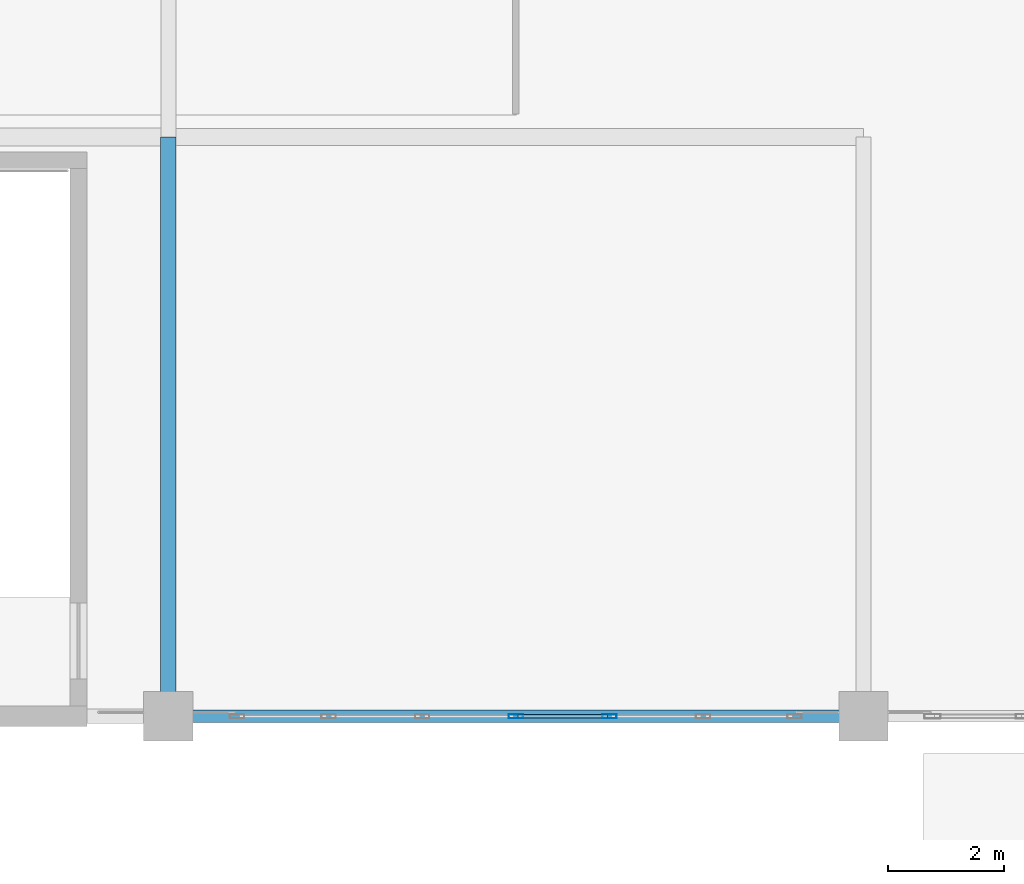
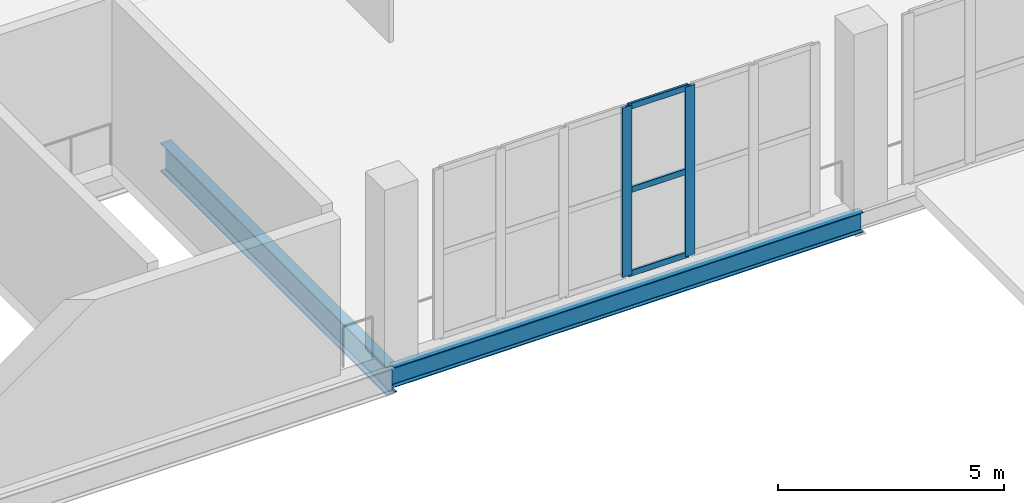
# One storey, part 9 of 49: 5 members, 2 beams, 1 element without a shape of its own.
"""IFC4 building model written with IfcOpenShell, lengths in metres."""

from ifc_helpers import new_model, si_unit, direction, frame, origin, origin_2d, place, context, subcontext, project, spatial, hollow_rectangle, i_section, extrude, material, layer, layer_set, material_profile, profile_set, type_object, element, aggregate, save


model = new_model("IFC4")

# Units and contexts
model_context = context("Model", 3, precision=1e-05, world=origin(), true_north=direction((0.0, 1.0)))
body_context = subcontext(model_context, "Body", "Model", "MODEL_VIEW")
ifc_project = project(units=[si_unit("LENGTHUNIT", "METRE"), si_unit("AREAUNIT", "SQUARE_METRE"), si_unit("VOLUMEUNIT", "CUBIC_METRE"), si_unit("PLANEANGLEUNIT", "RADIAN"), si_unit("MASSUNIT", "GRAM", prefix="KILO")], contexts=[model_context])

# Site, building, storey
site_placement = place(None, origin())
site = spatial("IfcSite", under=ifc_project, at=site_placement, CompositionType="ELEMENT")
building_placement = place(site_placement, origin())
building = spatial("IfcBuilding", under=site, at=building_placement, Name="Brinegate Civic Arena", CompositionType="ELEMENT")
storey_placement = place(building_placement, frame((0.0, 0.0, 24.60009765625)))
storey = spatial("IfcBuildingStorey", under=building, at=storey_placement, Name="L05", CompositionType="ELEMENT", Elevation=24.60009765625)

# Curtain wall, members
ifc_material_1 = material(Name="Marine grade aluminium", Category="aluminium")
ifc_layer = layer(ifc_material_1, 0.199951171875, Name="Marine grade aluminium")
ifc_layer_set = layer_set([ifc_layer], Name="Marine grade aluminium")
curtain_wall_type = type_object("IfcCurtainWallType", Name="CW-BOWL-GLAZED-01", PredefinedType="USERDEFINED", material=ifc_layer_set)
curtain_wall_placement = place(storey_placement, origin())
curtain_wall = element("IfcCurtainWall", 1, at=curtain_wall_placement, inside=storey, type_object=curtain_wall_type, Name="Curtain Wall CWA-165", ObjectType="GLAZED CURTAIN WALL", PredefinedType="USERDEFINED")
ifc_material_profile_1 = material_profile(ifc_material_1, hollow_rectangle(XDim=0.074951171875, YDim=0.25, WallThickness=0.006103515625, InnerFilletRadius=0.00390625, OuterFilletRadius=0.008056640625, at=origin_2d()), Name="MUL75X250")
ifc_profile_set_1 = profile_set([ifc_material_profile_1], Name="Marine grade aluminium")
member_type_1 = type_object("IfcMemberType", Name="CW-MULLION-75X250", PredefinedType="MULLION", material=ifc_profile_set_1)
member_1_placement = place(storey_placement, frame((78.0, 10.0, 0.0), z_axis=(0.0, 0.0, 1.0), x_axis=(0.0, 1.0, 0.0)))
member_1 = element("IfcMember", 2, at=member_1_placement, type_object=member_type_1, Name="CWA-165 mullion 4", PredefinedType="MULLION", context=body_context, shape_type="SweptSolid", body=[
    extrude(hollow_rectangle(XDim=0.074951171875, YDim=0.25, WallThickness=0.006103515625, InnerFilletRadius=0.00390625, OuterFilletRadius=0.008056640625, at=origin_2d()), origin(), (0.0, 0.0, 1.0), 4.579833984375),
])
member_2_placement = place(storey_placement, frame((79.616455078125, 10.0, 0.0), z_axis=(0.0, 0.0, 1.0), x_axis=(0.0, 1.0, 0.0)))
member_2 = element("IfcMember", 3, at=member_2_placement, type_object=member_type_1, Name="CWA-165 mullion 5", PredefinedType="MULLION", context=body_context, shape_type="SweptSolid", body=[
    extrude(hollow_rectangle(XDim=0.074951171875, YDim=0.25, WallThickness=0.006103515625, InnerFilletRadius=0.00390625, OuterFilletRadius=0.008056640625, at=origin_2d()), origin(), (0.0, 0.0, 1.0), 4.579833984375),
])
ifc_material_profile_2 = material_profile(ifc_material_1, hollow_rectangle(XDim=0.06494140625, YDim=0.1650390625, WallThickness=0.0048828125, InnerFilletRadius=0.00390625, OuterFilletRadius=0.008056640625, at=origin_2d()), Name="TRN65X165")
ifc_profile_set_2 = profile_set([ifc_material_profile_2], Name="Marine grade aluminium")
member_type_2 = type_object("IfcMemberType", Name="CW-TRANSOM-65X165", PredefinedType="USERDEFINED", material=ifc_profile_set_2)
member_3_placement = place(storey_placement, frame((78.03759765625, 10.0, 0.032470703125), z_axis=(1.0, 0.0, 0.0), x_axis=(0.0, 1.0, 0.0)))
member_3 = element("IfcMember", 4, at=member_3_placement, type_object=member_type_2, Name="CWA-165 transom 4.1", ObjectType="TRANSOM", PredefinedType="USERDEFINED", context=body_context, shape_type="SweptSolid", body=[
    extrude(hollow_rectangle(XDim=0.06494140625, YDim=0.1650390625, WallThickness=0.0048828125, InnerFilletRadius=0.00390625, OuterFilletRadius=0.008056640625, at=origin_2d()), origin(), (0.0, 0.0, 1.0), 1.541259765625),
])
member_4_placement = place(storey_placement, frame((78.03759765625, 10.0, 2.289794921875), z_axis=(1.0, 0.0, 0.0), x_axis=(0.0, 1.0, 0.0)))
member_4 = element("IfcMember", 5, at=member_4_placement, type_object=member_type_2, Name="CWA-165 transom 4.2", ObjectType="TRANSOM", PredefinedType="USERDEFINED", context=body_context, shape_type="SweptSolid", body=[
    extrude(hollow_rectangle(XDim=0.06494140625, YDim=0.1650390625, WallThickness=0.0048828125, InnerFilletRadius=0.00390625, OuterFilletRadius=0.008056640625, at=origin_2d()), origin(), (0.0, 0.0, 1.0), 1.541259765625),
])
member_5_placement = place(storey_placement, frame((78.03759765625, 10.0, 4.54736328125), z_axis=(1.0, 0.0, 0.0), x_axis=(0.0, 1.0, 0.0)))
member_5 = element("IfcMember", 6, at=member_5_placement, type_object=member_type_2, Name="CWA-165 transom 4.3", ObjectType="TRANSOM", PredefinedType="USERDEFINED", context=body_context, shape_type="SweptSolid", body=[
    extrude(hollow_rectangle(XDim=0.06494140625, YDim=0.1650390625, WallThickness=0.0048828125, InnerFilletRadius=0.00390625, OuterFilletRadius=0.008056640625, at=origin_2d()), origin(), (0.0, 0.0, 1.0), 1.541259765625),
])
aggregate(curtain_wall, [member_1, member_2, member_3, member_4, member_5])

# Beams
ifc_material_2 = material(Name="Steel S355", Category="steel")
ifc_material_profile_3 = material_profile(ifc_material_2, i_section(OverallWidth=0.26806640625, OverallDepth=0.77001953125, WebThickness=0.01611328125, FlangeThickness=0.02490234375, FilletRadius=0.02001953125, at=origin_2d()), Name="W760X196")
ifc_profile_set_3 = profile_set([ifc_material_profile_3], Name="Steel S355")
beam_type_1 = type_object("IfcBeamType", Name="GIRDER-W760X196", PredefinedType="BEAM", material=ifc_profile_set_3)
beam_1_placement = place(storey_placement, frame((72.0, 10.0, -0.715087890625), z_axis=(0.0, 1.0, 0.0), x_axis=(-1.0, 0.0, 0.0)))
element("IfcBeam", 7, at=beam_1_placement, inside=storey, type_object=beam_type_1, Name="Floor Girder BM-L05-GY-06-01", PredefinedType="BEAM", context=body_context, shape_type="SweptSolid", body=[
    extrude(i_section(OverallWidth=0.26806640625, OverallDepth=0.77001953125, WebThickness=0.01611328125, FlangeThickness=0.02490234375, FilletRadius=0.02001953125, at=origin_2d()), origin(), (0.0, 0.0, 1.0), 10.0),
])
ifc_material_profile_4 = material_profile(ifc_material_2, i_section(OverallWidth=0.2119140625, OverallDepth=0.5439453125, WebThickness=0.012939453125, FlangeThickness=0.02099609375, FilletRadius=0.01611328125, at=origin_2d()), Name="W530X123")
ifc_profile_set_4 = profile_set([ifc_material_profile_4], Name="Steel S355")
beam_type_2 = type_object("IfcBeamType", Name="SPANDREL-W530X123", PredefinedType="SPANDREL", material=ifc_profile_set_4)
beam_2_placement = place(storey_placement, frame((72.0, 10.0, -0.60205078125), z_axis=(1.0, 0.0, 0.0), x_axis=(0.0, 1.0, 0.0)))
element("IfcBeam", 8, at=beam_2_placement, inside=storey, type_object=beam_type_2, Name="Floor Girder BM-L05-GX-06-01", PredefinedType="SPANDREL", context=body_context, shape_type="SweptSolid", body=[
    extrude(i_section(OverallWidth=0.2119140625, OverallDepth=0.5439453125, WebThickness=0.012939453125, FlangeThickness=0.02099609375, FilletRadius=0.01611328125, at=origin_2d()), origin(), (0.0, 0.0, 1.0), 12.0),
])

save(model, "model.ifc")
